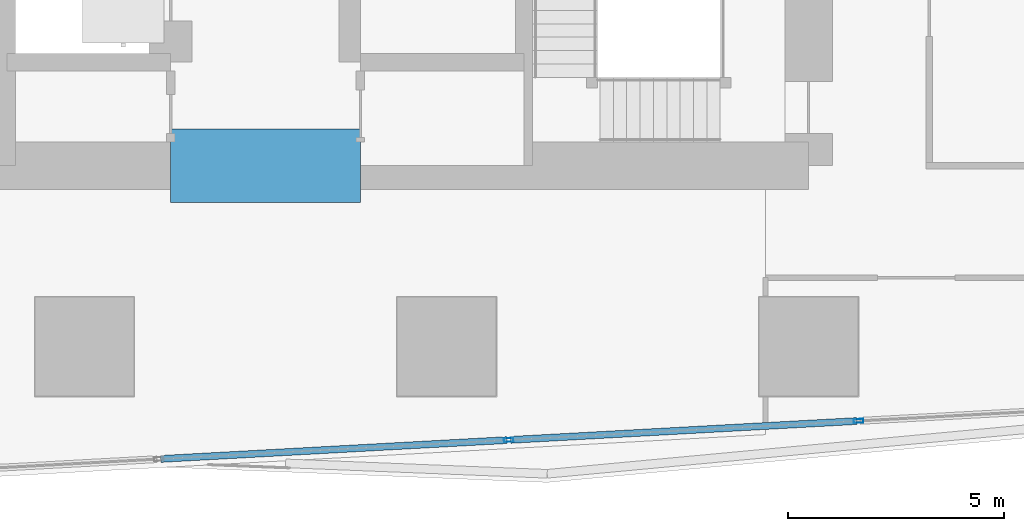
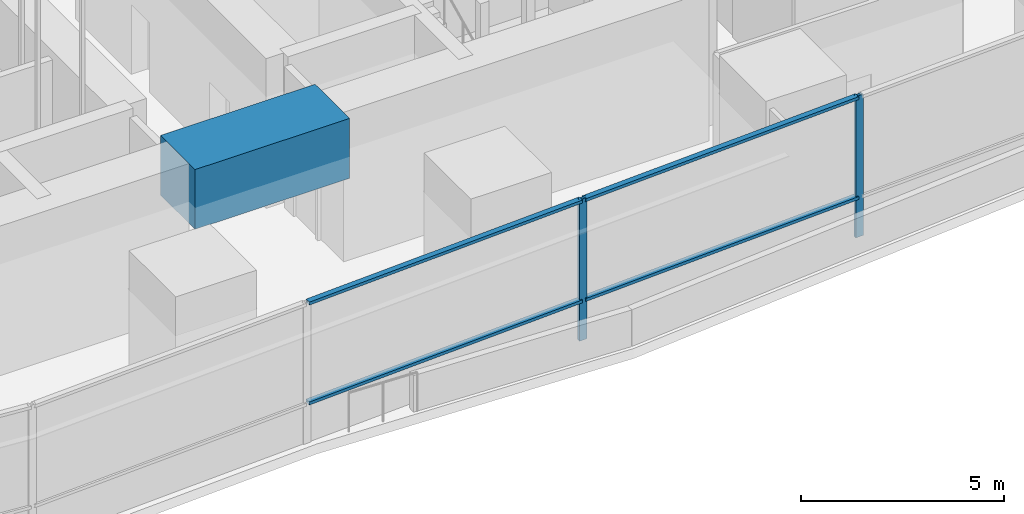
# One storey, part 5 of 39: 6 members, 1 beam, 1 element without a shape of its own.
"""IFC4 building model written with IfcOpenShell, lengths in metres."""

from ifc_helpers import new_model, si_unit, direction, frame, origin, origin_2d, place, context, subcontext, project, spatial, rectangle, hollow_rectangle, extrude, material, material_profile, profile_set, type_object, element, aggregate, save


model = new_model("IFC4")

# Units and contexts
model_context = context("Model", 3, precision=1e-05, world=origin(), true_north=direction((0.0, 1.0)))
body_context = subcontext(model_context, "Body", "Model", "MODEL_VIEW")
ifc_project = project(units=[si_unit("LENGTHUNIT", "METRE"), si_unit("AREAUNIT", "SQUARE_METRE"), si_unit("VOLUMEUNIT", "CUBIC_METRE"), si_unit("PLANEANGLEUNIT", "RADIAN"), si_unit("MASSUNIT", "GRAM", prefix="KILO")], contexts=[model_context])

# Site, building, storey
site_placement = place(None, origin())
site = spatial("IfcSite", under=ifc_project, at=site_placement, CompositionType="ELEMENT")
building_placement = place(site_placement, origin())
building = spatial("IfcBuilding", under=site, at=building_placement, Name="Rekha Terrace Tower", CompositionType="ELEMENT")
storey_placement = place(building_placement, frame((0.0, 0.0, 245.60009765625)))
storey = spatial("IfcBuildingStorey", under=building, at=storey_placement, Name="L62", CompositionType="ELEMENT", Elevation=245.60009765625)

# Curtain wall, members
ifc_material_1 = material(Name="Aluminium framing", Category="aluminium")
curtain_wall_type = type_object("IfcCurtainWallType", Name="CW5 sky garden glazing", PredefinedType="USERDEFINED", material=ifc_material_1)
curtain_wall_placement = place(storey_placement, origin())
curtain_wall = element("IfcCurtainWall", 1, at=curtain_wall_placement, inside=storey, type_object=curtain_wall_type, Name="CW5 sky garden curtain wall", ObjectType="SKY GARDEN CURTAIN WALL", PredefinedType="USERDEFINED")
ifc_material_2 = material(Name="Aluminium mullion section", Category="aluminium")
ifc_material_profile_1 = material_profile(ifc_material_2, hollow_rectangle(XDim=0.090087890625, YDim=0.219970703125, WallThickness=0.00390625, at=origin_2d()), Name="AL RHS 90x220")
ifc_profile_set_1 = profile_set([ifc_material_profile_1], Name="Aluminium mullion section")
member_type_1 = type_object("IfcMemberType", Name="CW5 mullion RHS 90 x 220", PredefinedType="MULLION", material=ifc_profile_set_1)
member_1_placement = place(storey_placement, frame((43.4423828125, 14.634765625, 0.0), z_axis=(0.0, 0.0, 1.0), x_axis=(-0.054388903071, 0.998519828157, 0.0)))
member_1 = element("IfcMember", 2, at=member_1_placement, type_object=member_type_1, Name="CW5 mullion 3", PredefinedType="MULLION", context=body_context, shape_type="SweptSolid", body=[
    extrude(hollow_rectangle(XDim=0.090087890625, YDim=0.219970703125, WallThickness=0.00390625, at=origin_2d()), origin(), (0.0, 0.0, 1.0), 4.25),
])
member_2_placement = place(storey_placement, frame((51.559814453125, 15.076904296875, 0.0), z_axis=(0.0, 0.0, 1.0), x_axis=(-0.054388903071, 0.998519828157, 0.0)))
member_2 = element("IfcMember", 3, at=member_2_placement, type_object=member_type_1, Name="CW5 mullion 4", PredefinedType="MULLION", context=body_context, shape_type="SweptSolid", body=[
    extrude(hollow_rectangle(XDim=0.090087890625, YDim=0.219970703125, WallThickness=0.00390625, at=origin_2d()), origin(), (0.0, 0.0, 1.0), 4.25),
])
ifc_material_3 = material(Name="Aluminium transom section", Category="aluminium")
ifc_material_profile_2 = material_profile(ifc_material_3, hollow_rectangle(XDim=0.159912109375, YDim=0.090087890625, WallThickness=0.0029296875, at=origin_2d()), Name="AL RHS 160x90")
ifc_profile_set_2 = profile_set([ifc_material_profile_2], Name="Aluminium transom section")
member_type_2 = type_object("IfcMemberType", Name="CW5 transom RHS 90 x 160", PredefinedType="USERDEFINED", material=ifc_profile_set_2)
member_3_placement = place(storey_placement, frame((35.369873046875, 14.195068359375, 1.199951171875), z_axis=(0.998519848819, 0.054388523744, 0.0), x_axis=(-0.054388523744, 0.998519848819, 0.0)))
member_3 = element("IfcMember", 4, at=member_3_placement, type_object=member_type_2, Name="CW5 transom 2.2", ObjectType="TRANSOM", PredefinedType="USERDEFINED", context=body_context, shape_type="SweptSolid", body=[
    extrude(hollow_rectangle(XDim=0.159912109375, YDim=0.090087890625, WallThickness=0.0029296875, at=origin_2d()), origin(), (0.0, 0.0, 1.0), 8.03955078125),
])
member_4_placement = place(storey_placement, frame((35.369873046875, 14.195068359375, 4.204833984375), z_axis=(0.998519848819, 0.054388523744, 0.0), x_axis=(-0.054388523744, 0.998519848819, 0.0)))
member_4 = element("IfcMember", 5, at=member_4_placement, type_object=member_type_2, Name="CW5 transom 2.3", ObjectType="TRANSOM", PredefinedType="USERDEFINED", context=body_context, shape_type="SweptSolid", body=[
    extrude(hollow_rectangle(XDim=0.159912109375, YDim=0.090087890625, WallThickness=0.0029296875, at=origin_2d()), origin(), (0.0, 0.0, 1.0), 8.03955078125),
])
member_5_placement = place(storey_placement, frame((43.4873046875, 14.63720703125, 1.199951171875), z_axis=(0.998519848819, 0.054388523744, 0.0), x_axis=(-0.054388523744, 0.998519848819, 0.0)))
member_5 = element("IfcMember", 6, at=member_5_placement, type_object=member_type_2, Name="CW5 transom 3.2", ObjectType="TRANSOM", PredefinedType="USERDEFINED", context=body_context, shape_type="SweptSolid", body=[
    extrude(hollow_rectangle(XDim=0.159912109375, YDim=0.090087890625, WallThickness=0.0029296875, at=origin_2d()), origin(), (0.0, 0.0, 1.0), 8.03955078125),
])
member_6_placement = place(storey_placement, frame((43.4873046875, 14.63720703125, 4.204833984375), z_axis=(0.998519848819, 0.054388523744, 0.0), x_axis=(-0.054388523744, 0.998519848819, 0.0)))
member_6 = element("IfcMember", 7, at=member_6_placement, type_object=member_type_2, Name="CW5 transom 3.3", ObjectType="TRANSOM", PredefinedType="USERDEFINED", context=body_context, shape_type="SweptSolid", body=[
    extrude(hollow_rectangle(XDim=0.159912109375, YDim=0.090087890625, WallThickness=0.0029296875, at=origin_2d()), origin(), (0.0, 0.0, 1.0), 8.03955078125),
])
aggregate(curtain_wall, [member_1, member_2, member_3, member_4, member_5, member_6])

# Beam
ifc_material_4 = material(Name="Concrete M60", Category="concrete")
ifc_material_profile_3 = material_profile(ifc_material_4, rectangle(XDim=1.699951171875, YDim=1.800048828125, at=origin_2d()), Name="RC 1700x1800")
ifc_profile_set_3 = profile_set([ifc_material_profile_3], Name="Concrete M60")
beam_type = type_object("IfcBeamType", Name="LB4B 1700x1800 diagonally reinforced coupling beam", PredefinedType="LINTEL", material=ifc_profile_set_3)
beam_placement = place(storey_placement, frame((35.60009765625, 21.0, 3.599853515625), z_axis=(1.0, 0.0, 0.0), x_axis=(0.0, 1.0, 0.0)))
element("IfcBeam", 8, at=beam_placement, inside=storey, type_object=beam_type, Name="Coupling beam LB4B S L62", PredefinedType="LINTEL", context=body_context, shape_type="SweptSolid", body=[
    extrude(rectangle(XDim=1.699951171875, YDim=1.800048828125, at=origin_2d()), origin(), (0.0, 0.0, 1.0), 4.39990234375),
])

save(model, "model.ifc")
